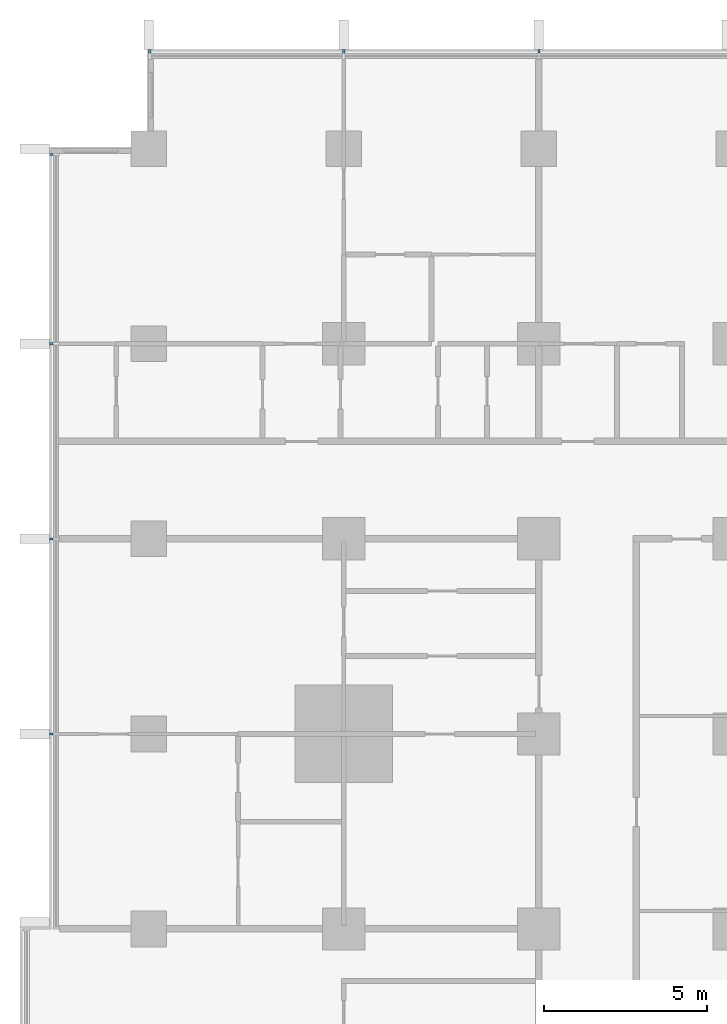
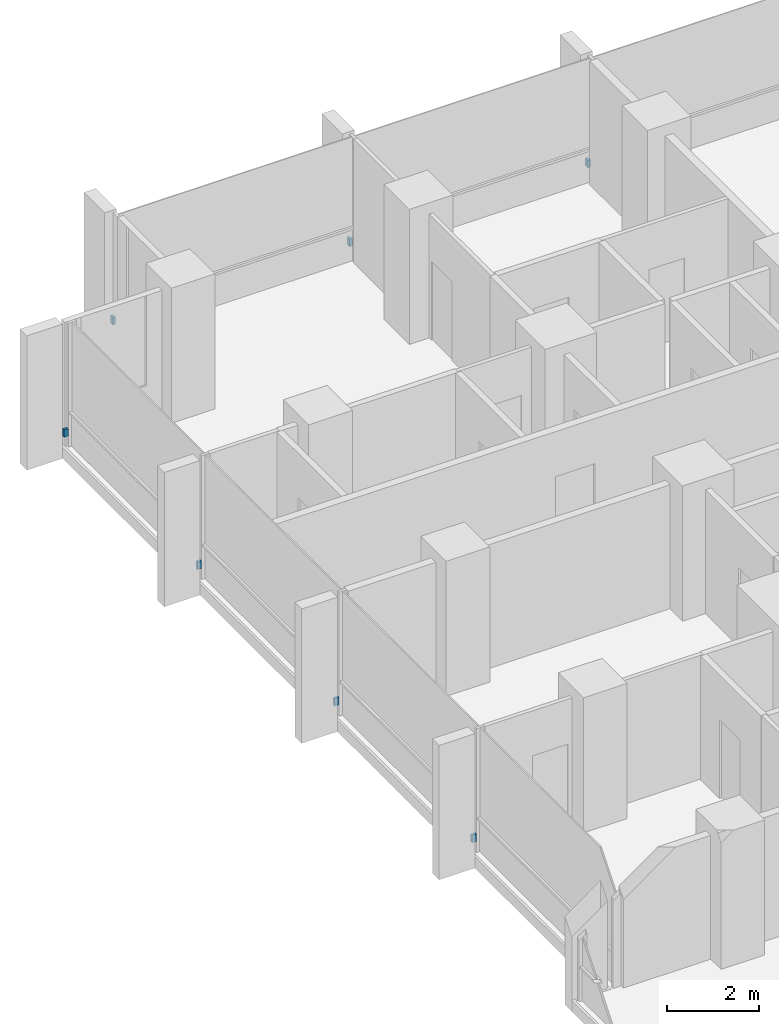
# One storey, part 16 of 18: 7 discrete accessories.
"""IFC4 building model written with IfcOpenShell, lengths in metres."""

import ifcopenshell
import ifcopenshell.guid

model = None  # the IFC model being written
_history = None  # IfcOwnerHistory: only IFC2X3 demands one
_inside = {}  # id of a spatial element -> (the spatial element, [elements in it])
_under = {}  # id of a project, library or spatial element -> (it, [spatial elements below it])
_declared = {}  # id of a project -> (the project, [libraries it declares])
_typed = {}  # id of a type object -> (the type object, [elements of that type])
_made_of = {}  # id of a material, layer set ... -> (it, [elements and type objects made of it])


def new_model(schema):
    """Start an empty IFC model of exactly this schema.

    Asked for "IFC4X3", IfcOpenShell would pick the latest addendum, in which some entities
    have other attributes; the version numbers below select the first issue.
    IFC2X3 requires an IfcOwnerHistory on every rooted entity: one is made here for all.
    """
    global model, _history
    if schema == "IFC4X3":
        model = ifcopenshell.file(schema_version=(4, 3, 0, 0))
    else:
        model = ifcopenshell.file(schema=schema)
    _inside.clear()
    _under.clear()
    _declared.clear()
    _typed.clear()
    _made_of.clear()
    _history = None
    if model.schema == "IFC2X3":
        org = make("IfcOrganization", Name="unknown")
        user = make(
            "IfcPersonAndOrganization",
            ThePerson=make("IfcPerson", FamilyName="unknown"),
            TheOrganization=org,
        )
        app = make(
            "IfcApplication",
            ApplicationDeveloper=org,
            Version="unknown",
            ApplicationFullName="unknown",
            ApplicationIdentifier="unknown",
        )
        _history = make(
            "IfcOwnerHistory",
            OwningUser=user,
            OwningApplication=app,
            ChangeAction="ADDED",
            CreationDate=0,
        )
    return model


def make(cls, **values):
    """One entity of the class cls with the attributes given. An attribute that is None is left unset."""
    return model.create_entity(
        cls, **{name: value for name, value in values.items() if value is not None}
    )


def rooted(cls, **values):
    """An entity with a GlobalId (a new one), such as an element, a storey or a relation."""
    return make(cls, GlobalId=ifcopenshell.guid.new(), OwnerHistory=_history, **values)


def si_unit(unit_type, name, prefix=None):
    """IfcSIUnit, for example si_unit("LENGTHUNIT", "METRE", prefix="MILLI")."""
    return make("IfcSIUnit", UnitType=unit_type, Prefix=prefix, Name=name)


def assignment(units):
    """IfcUnitAssignment: the units of a project."""
    return None if units is None else make("IfcUnitAssignment", Units=units)


def point(xyz):
    """IfcCartesianPoint."""
    return None if xyz is None else make("IfcCartesianPoint", Coordinates=xyz)


def direction(xyz):
    """IfcDirection."""
    return None if xyz is None else make("IfcDirection", DirectionRatios=xyz)


def frame(location, z_axis=None, x_axis=None):
    """IfcAxis2Placement3D, a coordinate frame: its origin and axes. An axis left out is left unset."""
    return make(
        "IfcAxis2Placement3D",
        Location=point(location),
        Axis=direction(z_axis),
        RefDirection=direction(x_axis),
    )


def frame_2d(location, x_axis=None):
    """IfcAxis2Placement2D, a coordinate frame in the plane: its origin and x axis."""
    return make(
        "IfcAxis2Placement2D", Location=point(location), RefDirection=direction(x_axis)
    )


def origin():
    """The frame at (0, 0, 0) with its axes left unset."""
    return frame((0.0, 0.0, 0.0))


def origin_2d():
    """The frame at (0, 0) in the plane with its x axis left unset."""
    return frame_2d((0.0, 0.0))


def place(relative_to, where):
    """IfcLocalPlacement: puts the frame where relative to a parent placement (None: the world)."""
    return make(
        "IfcLocalPlacement", PlacementRelTo=relative_to, RelativePlacement=where
    )


def context(
    kind, dimensions, precision=None, world=None, true_north=None, identifier=None
):
    """IfcGeometricRepresentationContext, for example the 3D "Model" context."""
    return make(
        "IfcGeometricRepresentationContext",
        ContextIdentifier=identifier,
        ContextType=kind,
        CoordinateSpaceDimension=dimensions,
        Precision=precision,
        WorldCoordinateSystem=world,
        TrueNorth=true_north,
    )


def subcontext(parent, identifier, kind, view, scale=None):
    """IfcGeometricRepresentationSubContext, for example "Body" below "Model"."""
    return make(
        "IfcGeometricRepresentationSubContext",
        ContextIdentifier=identifier,
        ContextType=kind,
        ParentContext=parent,
        TargetScale=scale,
        TargetView=view,
    )


def project(units=None, contexts=None):
    """IfcProject with its units and contexts."""
    return rooted(
        "IfcProject",
        Name="project",
        RepresentationContexts=contexts,
        UnitsInContext=assignment(units),
    )


def spatial(cls, under=None, at=None, **own):
    """A site, building, storey or space (cls), placed at a placement, below another one or the project."""
    s = rooted(cls, ObjectPlacement=at, **own)
    if under is not None:
        _under.setdefault(under.id(), (under, []))[1].append(s)
    return s


def profile(cls, at=None, kind="AREA", **sizes):
    """A parametric profile (cls). Its sizes go by their IFC names, for example OverallWidth=200.0."""
    return make(cls, ProfileType=kind, Position=at, **sizes)


def rectangle(**sizes):
    """IfcRectangleProfileDef."""
    return profile("IfcRectangleProfileDef", **sizes)


def extrude(swept, where, along, depth):
    """IfcExtrudedAreaSolid: the profile swept, set in the frame where, extruded along a direction by depth."""
    return make(
        "IfcExtrudedAreaSolid",
        SweptArea=swept,
        Position=where,
        ExtrudedDirection=direction(along),
        Depth=depth,
    )


def shape(context_of_items, identifier, shape_type, items):
    """IfcShapeRepresentation: the items that make up one representation, for example the "Body"."""
    return make(
        "IfcShapeRepresentation",
        ContextOfItems=context_of_items,
        RepresentationIdentifier=identifier,
        RepresentationType=shape_type,
        Items=items,
    )


def material(Name=None, Category=None):
    """IfcMaterial."""
    return make("IfcMaterial", Name=Name, Category=Category)


def made_of(thing, what):
    """Note that an element or type object is made of a material, layer set ...; save() writes the relation."""
    if what is not None:
        _made_of.setdefault(what.id(), (what, []))[1].append(thing)
    return thing


def type_object(cls, material=None, **own):
    """A type object (cls), such as IfcWallType, which elements share."""
    return made_of(rooted(cls, **own), material)


def element(
    cls,
    number,
    at=None,
    inside=None,
    cuts=None,
    type_object=None,
    material=None,
    context=None,
    identifier="Body",
    shape_type=None,
    held_by="IfcProductDefinitionShape",
    body=None,
    shapes=None,
    **own,
):
    """One element of the class cls, such as IfcWall. Its Tag is "e" and its number.

    at: its placement. inside: the storey or other place that contains it. cuts: it is an
    opening in that element (IfcRelVoidsElement). A single representation is given by context,
    identifier, shape_type and body (its items); several are given by shapes. held_by: the class
    of the entity that holds the representations. save() writes the other relations.
    """
    e = rooted(cls, Tag="e%d" % number, ObjectPlacement=at, **own)
    if body is not None:
        shapes = [shape(context, identifier, shape_type, body)]
    if shapes is not None:
        e.Representation = make(held_by, Representations=shapes)
    if inside is not None:
        _inside.setdefault(inside.id(), (inside, []))[1].append(e)
    if cuts is not None:
        rooted(
            "IfcRelVoidsElement", RelatingBuildingElement=cuts, RelatedOpeningElement=e
        )
    if type_object is not None:
        _typed.setdefault(type_object.id(), (type_object, []))[1].append(e)
    return made_of(e, material)


def aggregate(whole, parts):
    """IfcRelAggregates: a whole, such as a stair, and the parts it consists of."""
    return rooted("IfcRelAggregates", RelatingObject=whole, RelatedObjects=parts)


def save(model, path):
    """Write the relations noted so far, then the file.

    IfcRelAggregates (storeys below a building ...), IfcRelContainedInSpatialStructure (elements
    in a storey), IfcRelDefinesByType, IfcRelAssociatesMaterial and IfcRelDeclares: one each for
    every whole, place, type object, material and project.
    """
    for whole, parts in _under.values():
        aggregate(whole, parts)
    for where, things in _inside.values():
        rooted(
            "IfcRelContainedInSpatialStructure",
            RelatedElements=things,
            RelatingStructure=where,
        )
    for kind, things in _typed.values():
        rooted("IfcRelDefinesByType", RelatedObjects=things, RelatingType=kind)
    for what, things in _made_of.values():
        rooted("IfcRelAssociatesMaterial", RelatedObjects=things, RelatingMaterial=what)
    for by, libraries in _declared.values():
        rooted("IfcRelDeclares", RelatingContext=by, RelatedDefinitions=libraries)
    model.write(path)


model = new_model("IFC4")

# Units and contexts
model_context = context("Model", 3, precision=1e-05, world=origin(), true_north=direction((0.0, 1.0)))
body_context = subcontext(model_context, "Body", "Model", "MODEL_VIEW")
ifc_project = project(units=[si_unit("LENGTHUNIT", "METRE"), si_unit("AREAUNIT", "SQUARE_METRE"), si_unit("VOLUMEUNIT", "CUBIC_METRE"), si_unit("PLANEANGLEUNIT", "RADIAN"), si_unit("MASSUNIT", "GRAM", prefix="KILO")], contexts=[model_context])

# Site, building, storey
site_placement = place(None, origin())
site = spatial("IfcSite", under=ifc_project, at=site_placement, CompositionType="ELEMENT")
building_placement = place(site_placement, origin())
building = spatial("IfcBuilding", under=site, at=building_placement, Name="Finial Court Residences", CompositionType="ELEMENT")
storey_placement = place(building_placement, frame((0.0, 0.0, 46.89990234375)))
storey = spatial("IfcBuildingStorey", under=building, at=storey_placement, Name="L10", CompositionType="ELEMENT", Elevation=46.89990234375)

# Discrete accessories
ifc_material = material(Name="Stainless steel 316", Category="steel")
discrete_accessory_type = type_object("IfcDiscreteAccessoryType", Name="Fin bracket, stainless steel 65 x 110 x 200", PredefinedType="BRACKET", material=ifc_material)
for number, where, z_axis, x_axis, name in (
    (1, (-22.467529296875, 28.5048828125, 0.30029296875), (0.0, 0.0, 1.0), (1.0, 0.0, 0.0), "E-L10-FIN-N1-BRK"),
    (2, (-16.5, 28.5048828125, 0.30029296875), (0.0, 0.0, 1.0), (1.0, 0.0, 0.0), "E-L10-FIN-N2-BRK"),
    (3, (-10.5, 28.5048828125, 0.30029296875), (0.0, 0.0, 1.0), (1.0, 0.0, 0.0), "E-L10-FIN-N3-BRK"),
):
    element("IfcDiscreteAccessory", number, at=place(storey_placement, frame(where, z_axis=z_axis, x_axis=x_axis)), inside=storey, type_object=discrete_accessory_type, Name=name, PredefinedType="BRACKET", context=body_context, shape_type="SweptSolid", body=[
        extrude(rectangle(XDim=0.06494140625, YDim=0.110107421875, at=origin_2d()), origin(), (0.0, 0.0, 1.0), 0.199951171875),
    ])
for number, where, z_axis, x_axis, name in (
    (4, (-25.5048828125, 7.5, 0.30029296875), (0.0, 0.0, 1.0), (1.0, 0.0, 0.0), "E-L10-FIN-W31-BRK"),
    (5, (-25.5048828125, 13.5, 0.30029296875), (0.0, 0.0, 1.0), (1.0, 0.0, 0.0), "E-L10-FIN-W32-BRK"),
    (6, (-25.5048828125, 19.5, 0.30029296875), (0.0, 0.0, 1.0), (1.0, 0.0, 0.0), "E-L10-FIN-W33-BRK"),
    (7, (-25.5048828125, 25.3173828125, 0.30029296875), (0.0, 0.0, 1.0), (1.0, 0.0, 0.0), "E-L10-FIN-W34-BRK"),
):
    element("IfcDiscreteAccessory", number, at=place(storey_placement, frame(where, z_axis=z_axis, x_axis=x_axis)), inside=storey, type_object=discrete_accessory_type, Name=name, PredefinedType="BRACKET", context=body_context, shape_type="SweptSolid", body=[
        extrude(rectangle(XDim=0.110107421875, YDim=0.06494140625, at=origin_2d()), origin(), (0.0, 0.0, 1.0), 0.199951171875),
    ])

save(model, "model.ifc")
